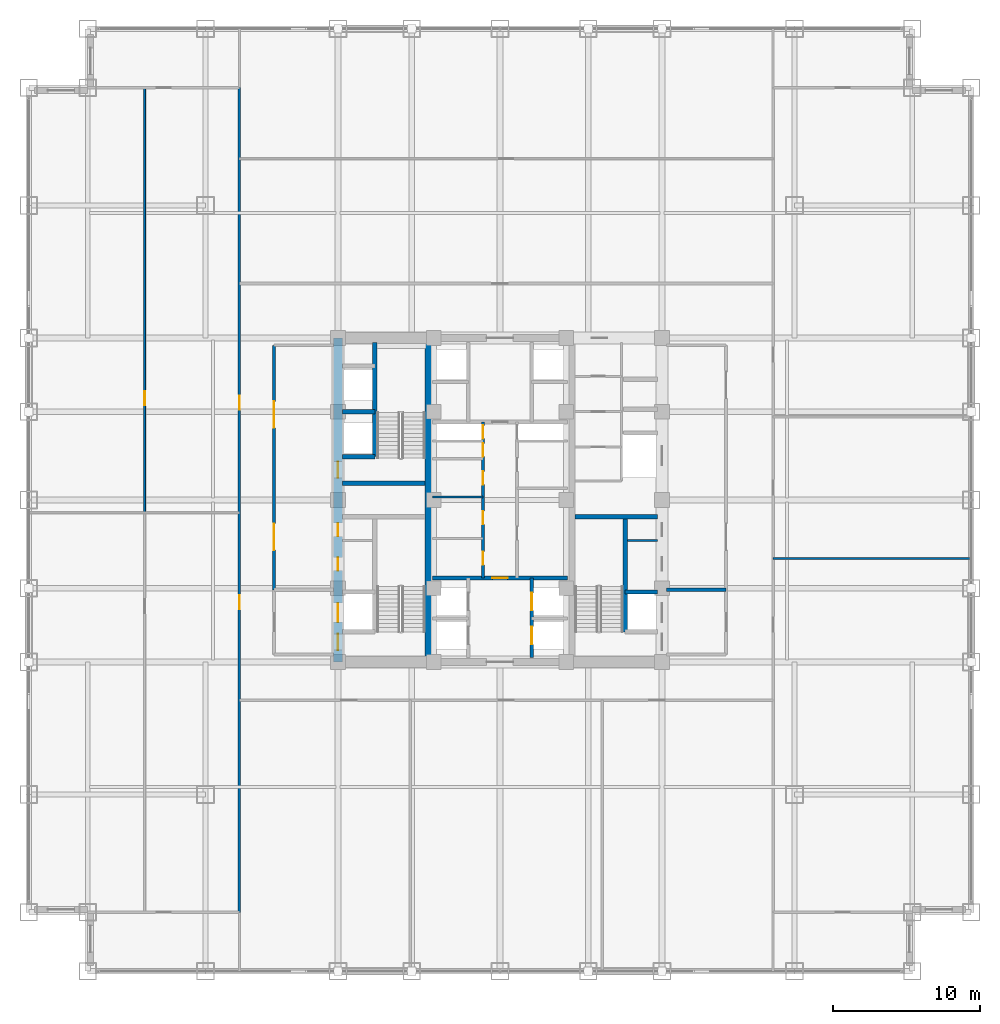
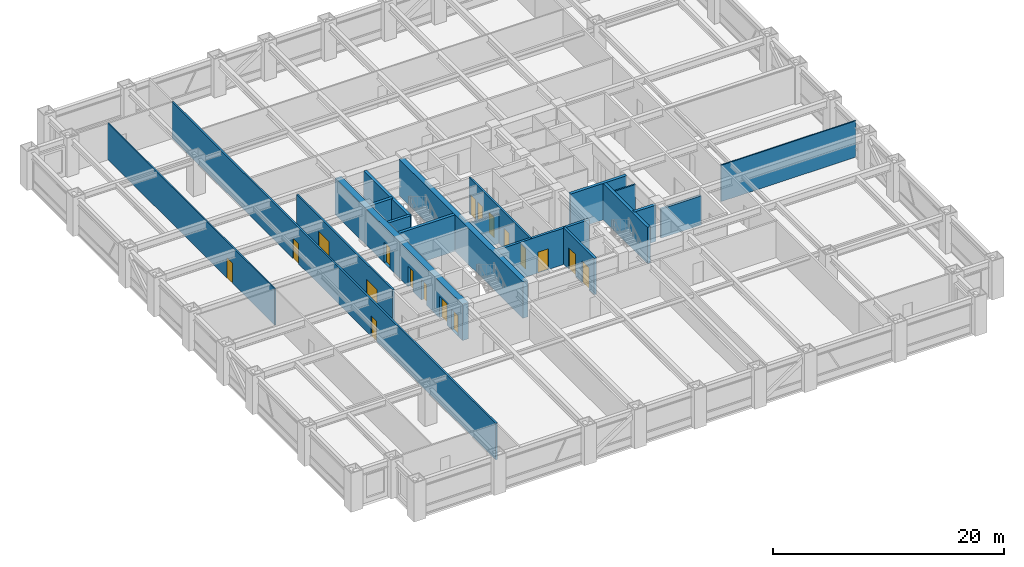
# One storey, part 24 of 27: 19 walls, 18 doors, 18 openings.
"""IFC4 building model written with IfcOpenShell, lengths in metres."""

from ifc_helpers import new_model, si_unit, direction, frame, frame_2d, origin, place, context, subcontext, project, spatial, rectangle, extrude, source, transform, mapped, material, layer, layer_set, type_object, element, fill, save


model = new_model("IFC4")

# Units and contexts
model_context = context("Model", 3, precision=1e-05, world=origin(), true_north=direction((0.0, 1.0)))
body_context = subcontext(model_context, "Body", "Model", "MODEL_VIEW")
ifc_project = project(units=[si_unit("LENGTHUNIT", "METRE"), si_unit("AREAUNIT", "SQUARE_METRE"), si_unit("VOLUMEUNIT", "CUBIC_METRE"), si_unit("PLANEANGLEUNIT", "RADIAN"), si_unit("MASSUNIT", "GRAM", prefix="KILO")], contexts=[model_context])

# Site, building, storey
site_placement = place(None, origin())
site = spatial("IfcSite", under=ifc_project, at=site_placement, CompositionType="ELEMENT")
building_placement = place(site_placement, origin())
building = spatial("IfcBuilding", under=site, at=building_placement, Name="Khorayat Bourse Tower", CompositionType="ELEMENT")
storey_placement = place(building_placement, frame((0.0, 0.0, 103.699951171875)))
storey = spatial("IfcBuildingStorey", under=building, at=storey_placement, Name="L23", CompositionType="ELEMENT", Elevation=103.699951171875)

# Wall, openings, doors
ifc_material_1 = material(Name="Concrete C60/75", Category="concrete")
ifc_layer_1 = layer(ifc_material_1, 0.60009765625)
ifc_layer_set_1 = layer_set([ifc_layer_1], Name="Concrete C60/75")
wall_type_1 = type_object("IfcWallType", Name="WAL-CORE-600", PredefinedType="SHEAR", material=ifc_layer_set_1)
shared_shape_1 = source(origin(), body_context, "Body", "SweptSolid", [
    extrude(rectangle(XDim=22.0, YDim=0.60009765625, at=frame_2d((11.0, 0.0))), origin(), (0.0, 0.0, 1.0), 3.840087890625),
])
wall_1_placement = place(storey_placement, frame((-11.0, -11.0, 0.0), z_axis=(0.0, 0.0, 1.0), x_axis=(0.0, 1.0, 0.0)))
wall_1 = element("IfcWall", 1, at=wall_1_placement, inside=storey, type_object=wall_type_1, Name="L23 Core Shear Wall CORE-W", PredefinedType="SHEAR", context=body_context, shape_type="MappedRepresentation", body=[
    mapped(shared_shape_1, transform((0.0, 0.0, 0.0), scale=1.0)),
])
shared_shape_2 = source(origin(), body_context, "Body", "SweptSolid", [
    extrude(rectangle(XDim=1.10009765625, YDim=2.199951171875, at=frame_2d((0.550048828125, 1.10009765625))), frame((0.0, 0.31005859375, 0.0), z_axis=(0.0, -1.0, 0.0), x_axis=(1.0, 0.0, 0.0)), (0.0, 0.0, 1.0), 0.6201171875),
])
opening_1_placement = place(wall_1_placement, frame((0.800048828125, 0.0, 0.0)))
opening_1 = element("IfcOpeningElement", 2, at=opening_1_placement, cuts=wall_1, Name="Opening DI-01", PredefinedType="OPENING", context=body_context, shape_type="MappedRepresentation", body=[
    mapped(shared_shape_2, transform((0.0, 0.0, 0.0), scale=1.0)),
])
opening_2_placement = place(wall_1_placement, frame((12.5, 0.0, 0.0)))
opening_2 = element("IfcOpeningElement", 3, at=opening_2_placement, cuts=wall_1, Name="Opening DI-01", PredefinedType="OPENING", context=body_context, shape_type="MappedRepresentation", body=[
    mapped(shared_shape_2, transform((0.0, 0.0, 0.0), scale=1.0)),
])
shared_shape_3 = source(origin(), body_context, "Body", "SweptSolid", [
    extrude(rectangle(XDim=0.89990234375, YDim=2.14990234375, at=frame_2d((0.449951171875, 1.074951171875))), frame((0.0, 0.31005859375, 0.0), z_axis=(0.0, -1.0, 0.0), x_axis=(1.0, 0.0, 0.0)), (0.0, 0.0, 1.0), 0.6201171875),
])
opening_3_placement = place(wall_1_placement, frame((6.199951171875, 0.0, 0.0)))
opening_3 = element("IfcOpeningElement", 4, at=opening_3_placement, cuts=wall_1, Name="Opening DI-06", PredefinedType="OPENING", context=body_context, shape_type="MappedRepresentation", body=[
    mapped(shared_shape_3, transform((0.0, 0.0, 0.0), scale=1.0)),
])
opening_4_placement = place(wall_1_placement, frame((8.52490234375, 0.0, 0.0)))
opening_4 = element("IfcOpeningElement", 5, at=opening_4_placement, cuts=wall_1, Name="Opening DI-06", PredefinedType="OPENING", context=body_context, shape_type="MappedRepresentation", body=[
    mapped(shared_shape_3, transform((0.0, 0.0, 0.0), scale=1.0)),
])
shared_shape_4 = source(origin(), body_context, "Body", "SweptSolid", [
    extrude(rectangle(XDim=1.300048828125, YDim=2.300048828125, at=frame_2d((0.64990234375, 1.14990234375))), frame((0.0, 0.31005859375, 0.0), z_axis=(0.0, -1.0, 0.0), x_axis=(1.0, 0.0, 0.0)), (0.0, 0.0, 1.0), 0.6201171875),
])
opening_5_placement = place(wall_1_placement, frame((2.699951171875, 0.0, 0.0)))
opening_5 = element("IfcOpeningElement", 6, at=opening_5_placement, cuts=wall_1, Name="Opening LD-02", PredefinedType="OPENING", context=body_context, shape_type="MappedRepresentation", body=[
    mapped(shared_shape_4, transform((0.0, 0.0, 0.0), scale=1.0)),
])
ifc_material_2 = material(Name="Fire-rated steel acoustic leaf", Category="steel")
door_type_1 = type_object("IfcDoorType", Name="DR-INT-STAIR-1100", OperationType="NOTDEFINED", PredefinedType="DOOR", material=ifc_material_2)
shared_shape_5 = source(origin(), body_context, "Body", "SweptSolid", [
    extrude(rectangle(XDim=1.10009765625, YDim=2.199951171875, at=frame_2d((0.550048828125, 1.10009765625))), frame((0.0, 0.02490234375, 0.0), z_axis=(0.0, -1.0, 0.0), x_axis=(1.0, 0.0, 0.0)), (0.0, 0.0, 1.0), 0.050048828125),
])
door_1_placement = place(opening_1_placement, origin())
door_1 = element("IfcDoor", 7, at=door_1_placement, inside=storey, type_object=door_type_1, Name="L23 Exit Stair 1 Door", OperationType="SINGLE_SWING_RIGHT", OverallHeight=2.199951171875, OverallWidth=1.10009765625, PredefinedType="DOOR", context=body_context, shape_type="MappedRepresentation", body=[
    mapped(shared_shape_5, transform((0.0, 0.0, 0.0), scale=1.0)),
])
fill(opening_1, door_1)
door_2_placement = place(opening_2_placement, origin())
door_2 = element("IfcDoor", 8, at=door_2_placement, inside=storey, type_object=door_type_1, Name="L23 Exit Stair 2 Door", OperationType="SINGLE_SWING_RIGHT", OverallHeight=2.199951171875, OverallWidth=1.10009765625, PredefinedType="DOOR", context=body_context, shape_type="MappedRepresentation", body=[
    mapped(shared_shape_5, transform((0.0, 0.0, 0.0), scale=1.0)),
])
fill(opening_2, door_2)
ifc_material_3 = material(Name="Moisture-resistant laminate washroom door")
door_type_2 = type_object("IfcDoorType", Name="DR-INT-WC-900", OperationType="NOTDEFINED", PredefinedType="DOOR", material=ifc_material_3)
shared_shape_6 = source(origin(), body_context, "Body", "SweptSolid", [
    extrude(rectangle(XDim=0.89990234375, YDim=2.14990234375, at=frame_2d((0.449951171875, 1.074951171875))), frame((0.0, 0.02490234375, 0.0), z_axis=(0.0, -1.0, 0.0), x_axis=(1.0, 0.0, 0.0)), (0.0, 0.0, 1.0), 0.050048828125),
])
door_3_placement = place(opening_3_placement, origin())
door_3 = element("IfcDoor", 9, at=door_3_placement, inside=storey, type_object=door_type_2, Name="L23 Switch Closet Door", OperationType="SINGLE_SWING_RIGHT", OverallHeight=2.14990234375, OverallWidth=0.89990234375, PredefinedType="DOOR", context=body_context, shape_type="MappedRepresentation", body=[
    mapped(shared_shape_6, transform((0.0, 0.0, 0.0), scale=1.0)),
])
fill(opening_3, door_3)
door_4_placement = place(opening_4_placement, origin())
door_4 = element("IfcDoor", 10, at=door_4_placement, inside=storey, type_object=door_type_2, Name="L23 Janitor Store Door", OperationType="SINGLE_SWING_LEFT", OverallHeight=2.14990234375, OverallWidth=0.89990234375, PredefinedType="DOOR", context=body_context, shape_type="MappedRepresentation", body=[
    mapped(shared_shape_6, transform((0.0, 0.0, 0.0), scale=1.0)),
])
fill(opening_4, door_4)
ifc_material_4 = material(Name="Fire-rated stainless-steel sliding landing door", Category="steel")
door_type_3 = type_object("IfcDoorType", Name="DR-LIFT-FF-1300", OperationType="NOTDEFINED", PredefinedType="DOOR", material=ifc_material_4)
shared_shape_7 = source(origin(), body_context, "Body", "SweptSolid", [
    extrude(rectangle(XDim=1.300048828125, YDim=2.300048828125, at=frame_2d((0.64990234375, 1.14990234375))), frame((0.0, 0.02490234375, 0.0), z_axis=(0.0, -1.0, 0.0), x_axis=(1.0, 0.0, 0.0)), (0.0, 0.0, 1.0), 0.050048828125),
])
door_5_placement = place(opening_5_placement, origin())
door_5 = element("IfcDoor", 11, at=door_5_placement, inside=storey, type_object=door_type_3, Name="L23 Lift FFL-01 Sliding Landing Door", OperationType="SLIDING_TO_LEFT", OverallHeight=2.300048828125, OverallWidth=1.300048828125, PredefinedType="DOOR", context=body_context, shape_type="MappedRepresentation", body=[
    mapped(shared_shape_7, transform((0.0, 0.0, 0.0), scale=1.0)),
])
fill(opening_5, door_5)

# Walls
ifc_material_5 = material(Name="Concrete C52/65", Category="concrete")
ifc_layer_2 = layer(ifc_material_5, 0.5)
ifc_layer_set_2 = layer_set([ifc_layer_2], Name="Concrete C52/65")
wall_type_2 = type_object("IfcWallType", Name="WAL-CORE-500", PredefinedType="SHEAR", material=ifc_layer_set_2)
shared_shape_8 = source(origin(), body_context, "Body", "SweptSolid", [
    extrude(rectangle(XDim=21.39990234375, YDim=0.5, at=frame_2d((10.699951171875, 0.0))), origin(), (0.0, 0.0, 1.0), 3.840087890625),
])
wall_2_placement = place(storey_placement, frame((-4.85009765625, -10.699951171875, 0.0), z_axis=(0.0, 0.0, 1.0), x_axis=(0.0, 1.0, 0.0)))
element("IfcWall", 12, at=wall_2_placement, inside=storey, type_object=wall_type_2, Name="L23 Core Shear Wall PIER-W", PredefinedType="SHEAR", context=body_context, shape_type="MappedRepresentation", body=[
    mapped(shared_shape_8, transform((0.0, 0.0, 0.0), scale=1.0)),
])
ifc_material_6 = material(Name="Concrete C50/60", Category="concrete")
ifc_layer_3 = layer(ifc_material_6, 0.300048828125)
ifc_layer_set_3 = layer_set([ifc_layer_3], Name="Concrete C50/60")
wall_type_3 = type_object("IfcWallType", Name="WAL-SHAFT-300", PredefinedType="SHEAR", material=ifc_layer_set_3)
shared_shape_9 = source(origin(), body_context, "Body", "SweptSolid", [
    extrude(rectangle(XDim=5.599853515625, YDim=0.300048828125, at=frame_2d((2.7998046875, 0.0))), origin(), (0.0, 0.0, 1.0), 3.840087890625),
])
for number, where, z_axis, x_axis, name in (
    (13, (-10.699951171875, 1.14990234375, 0.0), (0.0, 0.0, 1.0), (1.0, 0.0, 0.0), "L23 Core Shear Wall ST2-DIV"),
    (14, (5.10009765625, -1.14990234375, 0.0), (0.0, 0.0, 1.0), (1.0, 0.0, 0.0), "L23 Core Shear Wall ST3-DIV"),
):
    element("IfcWall", number, at=place(storey_placement, frame(where, z_axis=z_axis, x_axis=x_axis)), inside=storey, type_object=wall_type_3, Name=name, PredefinedType="SHEAR", context=body_context, shape_type="MappedRepresentation", body=[
        mapped(shared_shape_9, transform((0.0, 0.0, 0.0), scale=1.0)),
    ])
shared_shape_10 = source(origin(), body_context, "Body", "SweptSolid", [
    extrude(rectangle(XDim=7.800048828125, YDim=0.300048828125, at=frame_2d((3.89990234375, 0.0))), origin(), (0.0, 0.0, 1.0), 3.840087890625),
])
wall_3_placement = place(storey_placement, frame((8.5, -8.949951171875, 0.0), z_axis=(0.0, 0.0, 1.0), x_axis=(0.0, 1.0, 0.0)))
element("IfcWall", 15, at=wall_3_placement, inside=storey, type_object=wall_type_3, Name="L23 Partition WAL-L23-EPIER-SP", PredefinedType="SHEAR", context=body_context, shape_type="MappedRepresentation", body=[
    mapped(shared_shape_10, transform((0.0, 0.0, 0.0), scale=1.0)),
])
shared_shape_11 = source(origin(), body_context, "Body", "SweptSolid", [
    extrude(rectangle(XDim=2.199951171875, YDim=0.300048828125, at=frame_2d((1.10009765625, 0.0))), origin(), (0.0, 0.0, 1.0), 3.840087890625),
])
for number, where, z_axis, x_axis, name in (
    (16, (-10.699951171875, 2.949951171875, 0.0), (0.0, 0.0, 1.0), (1.0, 0.0, 0.0), "L23 Partition WAL-L23-WPIER-H1S"),
    (17, (-10.699951171875, 6.0, 0.0), (0.0, 0.0, 1.0), (1.0, 0.0, 0.0), "L23 Partition WAL-L23-WPIER-H12"),
    (18, (8.5, -6.25, 0.0), (0.0, 0.0, 1.0), (1.0, 0.0, 0.0), "L23 Partition WAL-L23-EPIER-FF2N"),
):
    element("IfcWall", number, at=place(storey_placement, frame(where, z_axis=z_axis, x_axis=x_axis)), inside=storey, type_object=wall_type_3, Name=name, PredefinedType="SHEAR", context=body_context, shape_type="MappedRepresentation", body=[
        mapped(shared_shape_11, transform((0.0, 0.0, 0.0), scale=1.0)),
    ])
shared_shape_12 = source(origin(), body_context, "Body", "SweptSolid", [
    extrude(rectangle(XDim=7.75, YDim=0.300048828125, at=frame_2d((3.875, 0.0))), origin(), (0.0, 0.0, 1.0), 3.840087890625),
])
wall_4_placement = place(storey_placement, frame((-8.5, 2.949951171875, 0.0), z_axis=(0.0, 0.0, 1.0), x_axis=(0.0, 1.0, 0.0)))
element("IfcWall", 19, at=wall_4_placement, inside=storey, type_object=wall_type_3, Name="L23 Partition WAL-L23-WPIER-ST2S", PredefinedType="SHEAR", context=body_context, shape_type="MappedRepresentation", body=[
    mapped(shared_shape_12, transform((0.0, 0.0, 0.0), scale=1.0)),
])
ifc_material_7 = material(Name="Gypsum plasterboard twin-frame partition")
ifc_layer_4 = layer(ifc_material_7, 0.14990234375)
ifc_layer_set_4 = layer_set([ifc_layer_4], Name="Gypsum plasterboard twin-frame partition")
wall_type_4 = type_object("IfcWallType", Name="WAL-PART-SUITE-150", PredefinedType="PARTITIONING", material=ifc_layer_set_4)
shared_shape_13 = source(origin(), body_context, "Body", "SweptSolid", [
    extrude(rectangle(XDim=2.050048828125, YDim=0.14990234375, at=frame_2d((1.02490234375, 0.0))), origin(), (0.0, 0.0, 1.0), 3.840087890625),
])
wall_5_placement = place(storey_placement, frame((8.64990234375, -2.75, 0.0), z_axis=(0.0, 0.0, 1.0), x_axis=(1.0, 0.0, 0.0)))
element("IfcWall", 20, at=wall_5_placement, inside=storey, type_object=wall_type_4, Name="L23 Partition WAL-L23-ESRV-D1", PredefinedType="PARTITIONING", context=body_context, shape_type="MappedRepresentation", body=[
    mapped(shared_shape_13, transform((0.0, 0.0, 0.0), scale=1.0)),
])
ifc_material_8 = material(Name="Aerated concrete blockwork", Category="masonry")
ifc_layer_5 = layer(ifc_material_8, 0.219970703125)
ifc_layer_set_5 = layer_set([ifc_layer_5], Name="Aerated concrete blockwork")
wall_type_5 = type_object("IfcWallType", Name="WAL-PART-FF-220", PredefinedType="PARTITIONING", material=ifc_layer_set_5)
shared_shape_14 = source(origin(), body_context, "Body", "SweptSolid", [
    extrude(rectangle(XDim=4.050048828125, YDim=0.219970703125, at=frame_2d((2.02490234375, 0.0))), origin(), (0.0, 0.0, 1.0), 3.067138671875),
])
wall_6_placement = place(storey_placement, frame((11.300048828125, -6.10009765625, 0.0), z_axis=(0.0, 0.0, 1.0), x_axis=(1.0, 0.0, 0.0)))
element("IfcWall", 21, at=wall_6_placement, inside=storey, type_object=wall_type_5, Name="L23 Partition WAL-L23-FFLE-N", PredefinedType="PARTITIONING", context=body_context, shape_type="MappedRepresentation", body=[
    mapped(shared_shape_14, transform((0.0, 0.0, 0.0), scale=1.0)),
])

# Wall, openings, doors
ifc_material_9 = material(Name="Gypsum plasterboard acoustic stud wall")
ifc_layer_6 = layer(ifc_material_9, 0.179931640625)
ifc_layer_set_6 = layer_set([ifc_layer_6], Name="Gypsum plasterboard acoustic stud wall")
wall_type_6 = type_object("IfcWallType", Name="WAL-PART-CORR-180", PredefinedType="PARTITIONING", material=ifc_layer_set_6)
shared_shape_15 = source(origin(), body_context, "Body", "SweptSolid", [
    extrude(rectangle(XDim=16.60009765625, YDim=0.179931640625, at=frame_2d((8.300048828125, 0.0))), origin(), (0.0, 0.0, 1.0), 3.840087890625),
])
wall_7_placement = place(storey_placement, frame((-15.35009765625, -6.10009765625, 0.0), z_axis=(0.0, 0.0, 1.0), x_axis=(0.0, 1.0, 0.0)))
wall_7 = element("IfcWall", 22, at=wall_7_placement, inside=storey, type_object=wall_type_6, Name="L23 Partition WAL-L23-WLOB-W", PredefinedType="PARTITIONING", context=body_context, shape_type="MappedRepresentation", body=[
    mapped(shared_shape_15, transform((0.0, 0.0, 0.0), scale=1.0)),
])
shared_shape_16 = source(origin(), body_context, "Body", "SweptSolid", [
    extrude(rectangle(XDim=1.800048828125, YDim=2.25, at=frame_2d((0.89990234375, 1.125))), frame((0.0, 0.099853515625, 0.0), z_axis=(0.0, -1.0, 0.0), x_axis=(1.0, 0.0, 0.0)), (0.0, 0.0, 1.0), 0.199951171875),
])
opening_6_placement = place(wall_7_placement, frame((2.699951171875, 0.0, 0.0)))
opening_6 = element("IfcOpeningElement", 23, at=opening_6_placement, cuts=wall_7, Name="Opening DI-03", PredefinedType="OPENING", context=body_context, shape_type="MappedRepresentation", body=[
    mapped(shared_shape_16, transform((0.0, 0.0, 0.0), scale=1.0)),
])
opening_7_placement = place(wall_7_placement, frame((11.0, 0.0, 0.0)))
opening_7 = element("IfcOpeningElement", 24, at=opening_7_placement, cuts=wall_7, Name="Opening DI-03", PredefinedType="OPENING", context=body_context, shape_type="MappedRepresentation", body=[
    mapped(shared_shape_16, transform((0.0, 0.0, 0.0), scale=1.0)),
])
ifc_material_10 = material(Name="Fire-rated hardwood vision-panel double leaf", Category="wood")
door_type_4 = type_object("IfcDoorType", Name="DR-INT-CORR-1800", OperationType="NOTDEFINED", PredefinedType="DOOR", material=ifc_material_10)
shared_shape_17 = source(origin(), body_context, "Body", "SweptSolid", [
    extrude(rectangle(XDim=1.800048828125, YDim=2.25, at=frame_2d((0.89990234375, 1.125))), frame((0.0, 0.02490234375, 0.0), z_axis=(0.0, -1.0, 0.0), x_axis=(1.0, 0.0, 0.0)), (0.0, 0.0, 1.0), 0.050048828125),
])
door_6_placement = place(opening_6_placement, origin())
door_6 = element("IfcDoor", 25, at=door_6_placement, inside=storey, type_object=door_type_4, Name="L23 West Core Lobby South Door", OperationType="SINGLE_SWING_LEFT", OverallHeight=2.25, OverallWidth=1.800048828125, PredefinedType="DOOR", context=body_context, shape_type="MappedRepresentation", body=[
    mapped(shared_shape_17, transform((0.0, 0.0, 0.0), scale=1.0)),
])
fill(opening_6, door_6)
door_7_placement = place(opening_7_placement, origin())
door_7 = element("IfcDoor", 26, at=door_7_placement, inside=storey, type_object=door_type_4, Name="L23 West Core Lobby North Door", OperationType="SINGLE_SWING_RIGHT", OverallHeight=2.25, OverallWidth=1.800048828125, PredefinedType="DOOR", context=body_context, shape_type="MappedRepresentation", body=[
    mapped(shared_shape_17, transform((0.0, 0.0, 0.0), scale=1.0)),
])
fill(opening_7, door_7)

shared_shape_18 = source(origin(), body_context, "Body", "SweptSolid", [
    extrude(rectangle(XDim=5.39990234375, YDim=0.25, at=frame_2d((2.699951171875, 0.0))), origin(), (0.0, 0.0, 1.0), 3.840087890625),
])
wall_8_placement = place(storey_placement, frame((2.14990234375, -10.699951171875, 0.0), z_axis=(0.0, 0.0, 1.0), x_axis=(0.0, 1.0, 0.0)))
wall_8 = element("IfcWall", 27, at=wall_8_placement, inside=storey, type_object=wall_type_3, Name="L23 Partition WAL-L23-B1-E", PredefinedType="SHEAR", context=body_context, shape_type="MappedRepresentation", body=[
    mapped(shared_shape_18, transform((0.0, 0.0, 0.0), scale=1.0)),
])
shared_shape_19 = source(origin(), body_context, "Body", "SweptSolid", [
    extrude(rectangle(XDim=1.199951171875, YDim=2.300048828125, at=frame_2d((0.60009765625, 1.14990234375))), frame((0.0, 0.135009765625, 0.0), z_axis=(0.0, -1.0, 0.0), x_axis=(1.0, 0.0, 0.0)), (0.0, 0.0, 1.0), 0.27001953125),
])
opening_8_placement = place(wall_8_placement, frame((0.89990234375, 0.0, 0.0)))
opening_8 = element("IfcOpeningElement", 28, at=opening_8_placement, cuts=wall_8, Name="Opening LD-01", PredefinedType="OPENING", context=body_context, shape_type="MappedRepresentation", body=[
    mapped(shared_shape_19, transform((0.0, 0.0, 0.0), scale=1.0)),
])
opening_9_placement = place(wall_8_placement, frame((3.199951171875, 0.0, 0.0)))
opening_9 = element("IfcOpeningElement", 29, at=opening_9_placement, cuts=wall_8, Name="Opening LD-01", PredefinedType="OPENING", context=body_context, shape_type="MappedRepresentation", body=[
    mapped(shared_shape_19, transform((0.0, 0.0, 0.0), scale=1.0)),
])
ifc_material_11 = material(Name="Brushed bronze stainless-steel sliding door", Category="steel")
door_type_5 = type_object("IfcDoorType", Name="DR-LIFT-PASS-1200", OperationType="NOTDEFINED", PredefinedType="DOOR", material=ifc_material_11)
shared_shape_20 = source(origin(), body_context, "Body", "SweptSolid", [
    extrude(rectangle(XDim=1.199951171875, YDim=2.300048828125, at=frame_2d((0.60009765625, 1.14990234375))), frame((0.0, 0.02490234375, 0.0), z_axis=(0.0, -1.0, 0.0), x_axis=(1.0, 0.0, 0.0)), (0.0, 0.0, 1.0), 0.050048828125),
])
door_8_placement = place(opening_8_placement, origin())
door_8 = element("IfcDoor", 30, at=door_8_placement, inside=storey, type_object=door_type_5, Name="L23 Lift PL-L2 Sliding Landing Door", OperationType="SLIDING_TO_LEFT", OverallHeight=2.300048828125, OverallWidth=1.199951171875, PredefinedType="DOOR", context=body_context, shape_type="MappedRepresentation", body=[
    mapped(shared_shape_20, transform((0.0, 0.0, 0.0), scale=1.0)),
])
fill(opening_8, door_8)
door_9_placement = place(opening_9_placement, origin())
door_9 = element("IfcDoor", 31, at=door_9_placement, inside=storey, type_object=door_type_5, Name="L23 Lift PL-L4 Sliding Landing Door", OperationType="SLIDING_TO_LEFT", OverallHeight=2.300048828125, OverallWidth=1.199951171875, PredefinedType="DOOR", context=body_context, shape_type="MappedRepresentation", body=[
    mapped(shared_shape_20, transform((0.0, 0.0, 0.0), scale=1.0)),
])
fill(opening_9, door_9)

# Wall, opening, door
shared_shape_21 = source(origin(), body_context, "Body", "SweptSolid", [
    extrude(rectangle(XDim=9.2001953125, YDim=0.25, at=frame_2d((4.60009765625, 0.0))), origin(), (0.0, 0.0, 1.0), 3.840087890625),
])
wall_9_placement = place(storey_placement, frame((-4.60009765625, -5.300048828125, 0.0), z_axis=(0.0, 0.0, 1.0), x_axis=(1.0, 0.0, 0.0)))
wall_9 = element("IfcWall", 32, at=wall_9_placement, inside=storey, type_object=wall_type_3, Name="L23 Partition WAL-L23-B1-N", PredefinedType="SHEAR", context=body_context, shape_type="MappedRepresentation", body=[
    mapped(shared_shape_21, transform((0.0, 0.0, 0.0), scale=1.0)),
])
shared_shape_22 = source(origin(), body_context, "Body", "SweptSolid", [
    extrude(rectangle(XDim=1.050048828125, YDim=2.199951171875, at=frame_2d((0.52490234375, 1.10009765625))), frame((0.0, 0.135009765625, 0.0), z_axis=(0.0, -1.0, 0.0), x_axis=(1.0, 0.0, 0.0)), (0.0, 0.0, 1.0), 0.27001953125),
])
opening_10_placement = place(wall_9_placement, frame((4.074951171875, 0.0, 0.0)))
opening_10 = element("IfcOpeningElement", 33, at=opening_10_placement, cuts=wall_9, Name="Opening DI-04", PredefinedType="OPENING", context=body_context, shape_type="MappedRepresentation", body=[
    mapped(shared_shape_22, transform((0.0, 0.0, 0.0), scale=1.0)),
])
ifc_material_12 = material(Name="Fire-rated oak veneer suite entrance door")
door_type_6 = type_object("IfcDoorType", Name="DR-INT-SUITE-1050", OperationType="NOTDEFINED", PredefinedType="DOOR", material=ifc_material_12)
shared_shape_23 = source(origin(), body_context, "Body", "SweptSolid", [
    extrude(rectangle(XDim=1.050048828125, YDim=2.199951171875, at=frame_2d((0.52490234375, 1.10009765625))), frame((0.0, 0.02490234375, 0.0), z_axis=(0.0, -1.0, 0.0), x_axis=(1.0, 0.0, 0.0)), (0.0, 0.0, 1.0), 0.050048828125),
])
door_10_placement = place(opening_10_placement, origin())
door_10 = element("IfcDoor", 34, at=door_10_placement, inside=storey, type_object=door_type_6, Name="L23 Core Spine South Door", OperationType="SINGLE_SWING_LEFT", OverallHeight=2.199951171875, OverallWidth=1.050048828125, PredefinedType="DOOR", context=body_context, shape_type="MappedRepresentation", body=[
    mapped(shared_shape_23, transform((0.0, 0.0, 0.0), scale=1.0)),
])
fill(opening_10, door_10)

# Wall, openings, doors
shared_shape_24 = source(origin(), body_context, "Body", "SweptSolid", [
    extrude(rectangle(XDim=10.60009765625, YDim=0.179931640625, at=frame_2d((5.300048828125, 0.0))), origin(), (0.0, 0.0, 1.0), 3.840087890625),
])
wall_10_placement = place(storey_placement, frame((-1.14990234375, -5.300048828125, 0.0), z_axis=(0.0, 0.0, 1.0), x_axis=(0.0, 1.0, 0.0)))
wall_10 = element("IfcWall", 35, at=wall_10_placement, inside=storey, type_object=wall_type_6, Name="L23 Partition WAL-L23-CMW-L", PredefinedType="PARTITIONING", context=body_context, shape_type="MappedRepresentation", body=[
    mapped(shared_shape_24, transform((0.0, 0.0, 0.0), scale=1.0)),
])
shared_shape_25 = source(origin(), body_context, "Body", "SweptSolid", [
    extrude(rectangle(XDim=0.89990234375, YDim=2.14990234375, at=frame_2d((0.449951171875, 1.074951171875))), frame((0.0, 0.099853515625, 0.0), z_axis=(0.0, -1.0, 0.0), x_axis=(1.0, 0.0, 0.0)), (0.0, 0.0, 1.0), 0.199951171875),
])
opening_11_placement = place(wall_10_placement, frame((0.89990234375, 0.0, 0.0)))
opening_11 = element("IfcOpeningElement", 36, at=opening_11_placement, cuts=wall_10, Name="Opening DI-06", PredefinedType="OPENING", context=body_context, shape_type="MappedRepresentation", body=[
    mapped(shared_shape_25, transform((0.0, 0.0, 0.0), scale=1.0)),
])
opening_12_placement = place(wall_10_placement, frame((3.64990234375, 0.0, 0.0)))
opening_12 = element("IfcOpeningElement", 37, at=opening_12_placement, cuts=wall_10, Name="Opening DI-06", PredefinedType="OPENING", context=body_context, shape_type="MappedRepresentation", body=[
    mapped(shared_shape_25, transform((0.0, 0.0, 0.0), scale=1.0)),
])
opening_13_placement = place(wall_10_placement, frame((6.35009765625, 0.0, 0.0)))
opening_13 = element("IfcOpeningElement", 38, at=opening_13_placement, cuts=wall_10, Name="Opening DI-06", PredefinedType="OPENING", context=body_context, shape_type="MappedRepresentation", body=[
    mapped(shared_shape_25, transform((0.0, 0.0, 0.0), scale=1.0)),
])
opening_14_placement = place(wall_10_placement, frame((8.25, 0.0, 0.0)))
opening_14 = element("IfcOpeningElement", 39, at=opening_14_placement, cuts=wall_10, Name="Opening DI-06", PredefinedType="OPENING", context=body_context, shape_type="MappedRepresentation", body=[
    mapped(shared_shape_25, transform((0.0, 0.0, 0.0), scale=1.0)),
])
opening_15_placement = place(wall_10_placement, frame((9.47509765625, 0.0, 0.0)))
opening_15 = element("IfcOpeningElement", 40, at=opening_15_placement, cuts=wall_10, Name="Opening DI-06", PredefinedType="OPENING", context=body_context, shape_type="MappedRepresentation", body=[
    mapped(shared_shape_25, transform((0.0, 0.0, 0.0), scale=1.0)),
])
door_11_placement = place(opening_11_placement, origin())
door_11 = element("IfcDoor", 41, at=door_11_placement, inside=storey, type_object=door_type_2, Name="L23 Cleaners Store Door", OperationType="SINGLE_SWING_RIGHT", OverallHeight=2.14990234375, OverallWidth=0.89990234375, PredefinedType="DOOR", context=body_context, shape_type="MappedRepresentation", body=[
    mapped(shared_shape_6, transform((0.0, 0.0, 0.0), scale=1.0)),
])
fill(opening_11, door_11)
door_12_placement = place(opening_12_placement, origin())
door_12 = element("IfcDoor", 42, at=door_12_placement, inside=storey, type_object=door_type_2, Name="L23 Male Core Washroom Door", OperationType="SINGLE_SWING_LEFT", OverallHeight=2.14990234375, OverallWidth=0.89990234375, PredefinedType="DOOR", context=body_context, shape_type="MappedRepresentation", body=[
    mapped(shared_shape_6, transform((0.0, 0.0, 0.0), scale=1.0)),
])
fill(opening_12, door_12)
door_13_placement = place(opening_13_placement, origin())
door_13 = element("IfcDoor", 43, at=door_13_placement, inside=storey, type_object=door_type_2, Name="L23 Electrical Closet Door", OperationType="SINGLE_SWING_RIGHT", OverallHeight=2.14990234375, OverallWidth=0.89990234375, PredefinedType="DOOR", context=body_context, shape_type="MappedRepresentation", body=[
    mapped(shared_shape_6, transform((0.0, 0.0, 0.0), scale=1.0)),
])
fill(opening_13, door_13)
door_14_placement = place(opening_14_placement, origin())
door_14 = element("IfcDoor", 44, at=door_14_placement, inside=storey, type_object=door_type_2, Name="L23 Archive Cupboard Door", OperationType="SINGLE_SWING_LEFT", OverallHeight=2.14990234375, OverallWidth=0.89990234375, PredefinedType="DOOR", context=body_context, shape_type="MappedRepresentation", body=[
    mapped(shared_shape_6, transform((0.0, 0.0, 0.0), scale=1.0)),
])
fill(opening_14, door_14)
door_15_placement = place(opening_15_placement, origin())
door_15 = element("IfcDoor", 45, at=door_15_placement, inside=storey, type_object=door_type_2, Name="L23 West Core Riser Door", OperationType="SINGLE_SWING_LEFT", OverallHeight=2.14990234375, OverallWidth=0.89990234375, PredefinedType="DOOR", context=body_context, shape_type="MappedRepresentation", body=[
    mapped(shared_shape_6, transform((0.0, 0.0, 0.0), scale=1.0)),
])
fill(opening_15, door_15)

shared_shape_26 = source(origin(), body_context, "Body", "SweptSolid", [
    extrude(rectangle(XDim=56.0, YDim=0.179931640625, at=frame_2d((28.0, 0.0))), origin(), (0.0, 0.0, 1.0), 3.840087890625),
])
wall_11_placement = place(storey_placement, frame((-17.699951171875, -28.0, 0.0), z_axis=(0.0, 0.0, 1.0), x_axis=(0.0, 1.0, 0.0)))
wall_11 = element("IfcWall", 46, at=wall_11_placement, inside=storey, type_object=wall_type_6, Name="L23 Partition WAL-L23-WCORR", PredefinedType="PARTITIONING", context=body_context, shape_type="MappedRepresentation", body=[
    mapped(shared_shape_26, transform((0.0, 0.0, 0.0), scale=1.0)),
])
shared_shape_27 = source(origin(), body_context, "Body", "SweptSolid", [
    extrude(rectangle(XDim=0.949951171875, YDim=2.14990234375, at=frame_2d((0.47509765625, 1.074951171875))), frame((0.0, 0.099853515625, 0.0), z_axis=(0.0, -1.0, 0.0), x_axis=(1.0, 0.0, 0.0)), (0.0, 0.0, 1.0), 0.199951171875),
])
opening_16_placement = place(wall_11_placement, frame((20.592529296875, 0.0, 0.0)))
opening_16 = element("IfcOpeningElement", 47, at=opening_16_placement, cuts=wall_11, Name="Opening DI-05", PredefinedType="OPENING", context=body_context, shape_type="MappedRepresentation", body=[
    mapped(shared_shape_27, transform((0.0, 0.0, 0.0), scale=1.0)),
])
opening_17_placement = place(wall_11_placement, frame((34.142578125, 0.0, 0.0)))
opening_17 = element("IfcOpeningElement", 48, at=opening_17_placement, cuts=wall_11, Name="Opening DI-05", PredefinedType="OPENING", context=body_context, shape_type="MappedRepresentation", body=[
    mapped(shared_shape_27, transform((0.0, 0.0, 0.0), scale=1.0)),
])
ifc_material_13 = material(Name="Acoustic oak veneer office door")
door_type_7 = type_object("IfcDoorType", Name="DR-INT-OFFICE-950", OperationType="NOTDEFINED", PredefinedType="DOOR", material=ifc_material_13)
shared_shape_28 = source(origin(), body_context, "Body", "SweptSolid", [
    extrude(rectangle(XDim=0.949951171875, YDim=2.14990234375, at=frame_2d((0.47509765625, 1.074951171875))), frame((0.0, 0.02490234375, 0.0), z_axis=(0.0, -1.0, 0.0), x_axis=(1.0, 0.0, 0.0)), (0.0, 0.0, 1.0), 0.050048828125),
])
door_16_placement = place(opening_16_placement, origin())
door_16 = element("IfcDoor", 49, at=door_16_placement, inside=storey, type_object=door_type_7, Name="L23 Issuer Listing Showroom W1 Door", OperationType="SINGLE_SWING_RIGHT", OverallHeight=2.14990234375, OverallWidth=0.949951171875, PredefinedType="DOOR", context=body_context, shape_type="MappedRepresentation", body=[
    mapped(shared_shape_28, transform((0.0, 0.0, 0.0), scale=1.0)),
])
fill(opening_16, door_16)
door_17_placement = place(opening_17_placement, origin())
door_17 = element("IfcDoor", 50, at=door_17_placement, inside=storey, type_object=door_type_7, Name="L23 Staff Tea Pantry W2 Door", OperationType="SINGLE_SWING_LEFT", OverallHeight=2.14990234375, OverallWidth=0.949951171875, PredefinedType="DOOR", context=body_context, shape_type="MappedRepresentation", body=[
    mapped(shared_shape_28, transform((0.0, 0.0, 0.0), scale=1.0)),
])
fill(opening_17, door_17)

# Wall
ifc_material_14 = material(Name="Moisture-resistant masonry partition", Category="masonry")
ifc_layer_7 = layer(ifc_material_14, 0.139892578125)
ifc_layer_set_7 = layer_set([ifc_layer_7], Name="Moisture-resistant masonry partition")
wall_type_7 = type_object("IfcWallType", Name="WAL-PART-WET-140", PredefinedType="PARTITIONING", material=ifc_layer_set_7)
shared_shape_29 = source(origin(), body_context, "Body", "SweptSolid", [
    extrude(rectangle(XDim=3.4501953125, YDim=0.139892578125, at=frame_2d((1.72509765625, 0.0))), origin(), (0.0, 0.0, 1.0), 3.14501953125),
])
wall_12_placement = place(storey_placement, frame((-4.60009765625, 0.199951171875, 0.0), z_axis=(0.0, 0.0, 1.0), x_axis=(1.0, 0.0, 0.0)))
element("IfcWall", 51, at=wall_12_placement, inside=storey, type_object=wall_type_7, Name="L23 Partition WAL-L23-CMW-D2", PredefinedType="PARTITIONING", context=body_context, shape_type="MappedRepresentation", body=[
    mapped(shared_shape_29, transform((0.0, 0.0, 0.0), scale=1.0)),
])

# Wall, opening, door
ifc_material_15 = material(Name="Gypsum plasterboard partition")
ifc_layer_8 = layer(ifc_material_15, 0.125)
ifc_layer_set_8 = layer_set([ifc_layer_8], Name="Gypsum plasterboard partition")
wall_type_8 = type_object("IfcWallType", Name="WAL-PART-ROOM-125", PredefinedType="PARTITIONING", material=ifc_layer_set_8)
shared_shape_30 = source(origin(), body_context, "Body", "SweptSolid", [
    extrude(rectangle(XDim=28.864990234375, YDim=0.125, at=frame_2d((14.4326171875, 0.0))), origin(), (0.0, 0.0, 1.0), 3.840087890625),
])
wall_13_placement = place(storey_placement, frame((-24.135009765625, -0.864990234375, 0.0), z_axis=(0.0, 0.0, 1.0), x_axis=(0.0, 1.0, 0.0)))
wall_13 = element("IfcWall", 52, at=wall_13_placement, inside=storey, type_object=wall_type_8, Name="L23 Partition WAL-L23-WDP-2", PredefinedType="PARTITIONING", context=body_context, shape_type="MappedRepresentation", body=[
    mapped(shared_shape_30, transform((0.0, 0.0, 0.0), scale=1.0)),
])
shared_shape_31 = source(origin(), body_context, "Body", "SweptSolid", [
    extrude(rectangle(XDim=0.949951171875, YDim=2.14990234375, at=frame_2d((0.47509765625, 1.074951171875))), frame((0.0, 0.072509765625, 0.0), z_axis=(0.0, -1.0, 0.0), x_axis=(1.0, 0.0, 0.0)), (0.0, 0.0, 1.0), 0.14501953125),
])
opening_18_placement = place(wall_13_placement, frame((7.3076171875, 0.0, 0.0)))
opening_18 = element("IfcOpeningElement", 53, at=opening_18_placement, cuts=wall_13, Name="Opening DI-05", PredefinedType="OPENING", context=body_context, shape_type="MappedRepresentation", body=[
    mapped(shared_shape_31, transform((0.0, 0.0, 0.0), scale=1.0)),
])
door_18_placement = place(opening_18_placement, origin())
door_18 = element("IfcDoor", 54, at=door_18_placement, inside=storey, type_object=door_type_7, Name="L23 Clearing Records Archive Store W2B Door", OperationType="SINGLE_SWING_LEFT", OverallHeight=2.14990234375, OverallWidth=0.949951171875, PredefinedType="DOOR", context=body_context, shape_type="MappedRepresentation", body=[
    mapped(shared_shape_28, transform((0.0, 0.0, 0.0), scale=1.0)),
])
fill(opening_18, door_18)

# Wall
shared_shape_32 = source(origin(), body_context, "Body", "SweptSolid", [
    extrude(rectangle(XDim=13.449951171875, YDim=0.125, at=frame_2d((6.72509765625, 0.0))), origin(), (0.0, 0.0, 1.0), 3.840087890625),
])
wall_14_placement = place(storey_placement, frame((18.550048828125, -3.97802734375, 0.0), z_axis=(0.0, 0.0, 1.0), x_axis=(1.0, 0.0, 0.0)))
element("IfcWall", 55, at=wall_14_placement, inside=storey, type_object=wall_type_8, Name="L23 Partition WAL-L23-EDV-1", PredefinedType="PARTITIONING", context=body_context, shape_type="MappedRepresentation", body=[
    mapped(shared_shape_32, transform((0.0, 0.0, 0.0), scale=1.0)),
])

save(model, "model.ifc")
